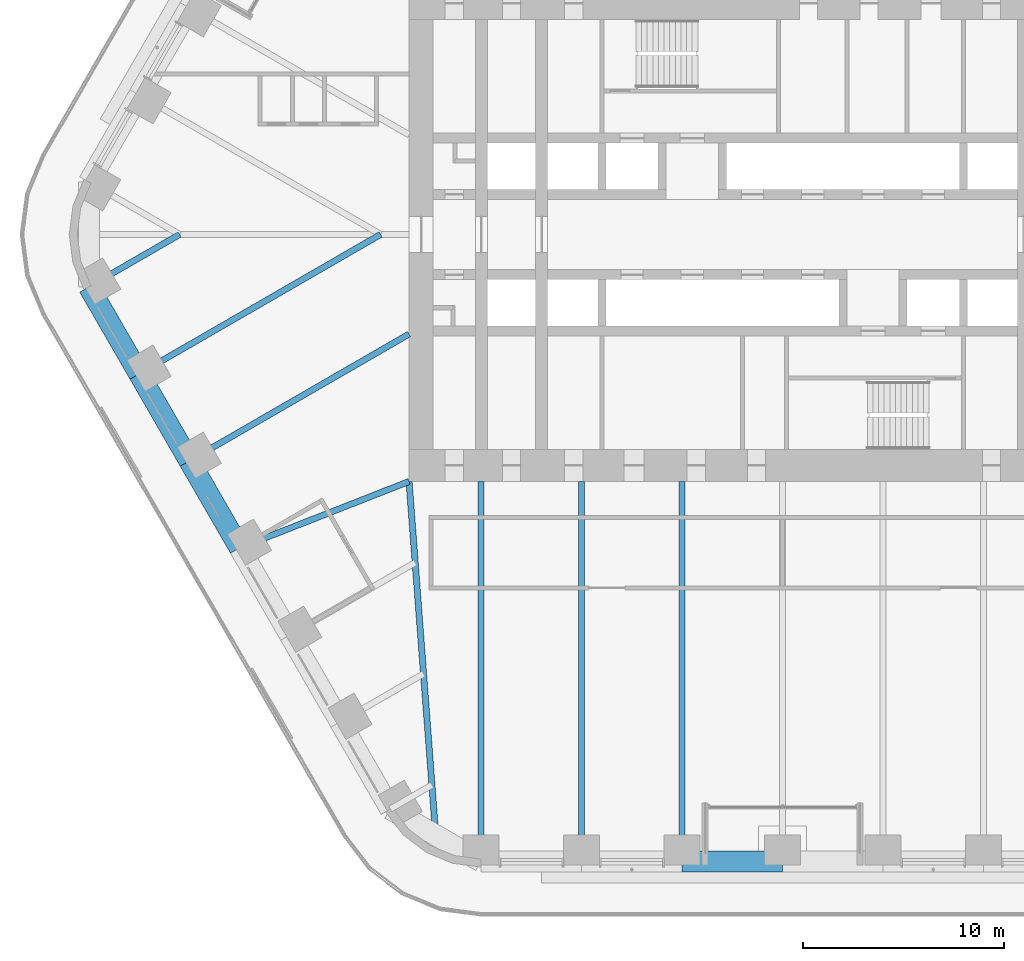
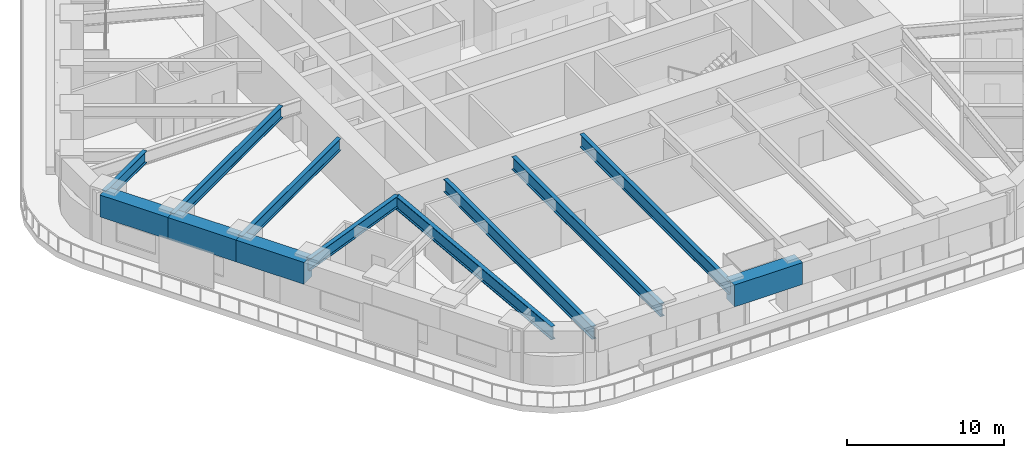
# One storey, part 3 of 24: 12 beams.
"""IFC4 building model written with IfcOpenShell, lengths in metres."""

from ifc_helpers import new_model, si_unit, direction, frame, origin, origin_2d, place, context, subcontext, project, spatial, rectangle, i_section, extrude, material, material_profile, profile_set, type_object, element, save


model = new_model("IFC4")

# Units and contexts
model_context = context("Model", 3, precision=1e-05, world=origin(), true_north=direction((0.0, 1.0)))
body_context = subcontext(model_context, "Body", "Model", "MODEL_VIEW")
ifc_project = project(units=[si_unit("LENGTHUNIT", "METRE"), si_unit("AREAUNIT", "SQUARE_METRE"), si_unit("VOLUMEUNIT", "CUBIC_METRE"), si_unit("PLANEANGLEUNIT", "RADIAN"), si_unit("MASSUNIT", "GRAM", prefix="KILO")], contexts=[model_context])

# Site, building, storey
site_placement = place(None, origin())
site = spatial("IfcSite", under=ifc_project, at=site_placement, CompositionType="ELEMENT")
building_placement = place(site_placement, origin())
building = spatial("IfcBuilding", under=site, at=building_placement, Name="Tarfa Lantern Tower", CompositionType="ELEMENT")
storey_placement = place(building_placement, frame((0.0, 0.0, 127.89990234375)))
storey = spatial("IfcBuildingStorey", under=building, at=storey_placement, Name="L28", CompositionType="ELEMENT", Elevation=127.89990234375)

# Beams
ifc_material_1 = material(Name="Concrete C80/95", Category="concrete")
ifc_material_profile_1 = material_profile(ifc_material_1, rectangle(XDim=1.050048828125, YDim=1.699951171875, at=origin_2d()), Name="RC 1050x1700")
ifc_profile_set_1 = profile_set([ifc_material_profile_1], Name="Concrete C80/95")
beam_type_1 = type_object("IfcBeamType", Name="RB2 RC 1050x1700", PredefinedType="BEAM", material=ifc_profile_set_1)
for number, where, z_axis, x_axis, name in (
    (1, (-34.54296875, -2.610107421875, 3.150146484375), (0.500022324899, -0.866012514114, 0.0), (0.866012514114, 0.500022324899, 0.0), "Edge beam SW0"),
    (2, (-32.041015625, -6.943359375, 3.150146484375), (0.500022324899, -0.866012514114, 0.0), (0.866012514114, 0.500022324899, 0.0), "Edge beam SW1"),
    (3, (-29.5390625, -11.276611328125, 3.150146484375), (0.499964603504, -0.866045838996, 0.0), (0.866045838996, 0.499964603504, 0.0), "Edge beam SW2"),
    (4, (-5.003662109375, -31.219970703125, 3.150146484375), (1.0, 0.0, 0.0), (0.0, 1.0, 0.0), "Edge beam S2"),
):
    element("IfcBeam", number, at=place(storey_placement, frame(where, z_axis=z_axis, x_axis=x_axis)), inside=storey, type_object=beam_type_1, Name=name, PredefinedType="BEAM", context=body_context, shape_type="SweptSolid", body=[
        extrude(rectangle(XDim=1.050048828125, YDim=1.699951171875, at=origin_2d()), origin(), (0.0, 0.0, 1.0), 5.003662109375),
    ])
ifc_material_2 = material(Name="Steel S460M", Category="steel")
ifc_material_profile_2 = material_profile(ifc_material_2, i_section(OverallWidth=0.302001953125, OverallDepth=1.008056640625, WebThickness=0.02099609375, FlangeThickness=0.0400390625, FilletRadius=0.030029296875, at=origin_2d()), Name="UB1016x305x349")
ifc_profile_set_2 = profile_set([ifc_material_profile_2], Name="Steel S460M")
beam_type_2 = type_object("IfcBeamType", Name="UB1016x305x349", PredefinedType="BEAM", material=ifc_profile_set_2)
for number, where, z_axis, x_axis, name in (
    (5, (-15.010986328125, -31.219970703125, 3.49609375), (0.0, 1.0, 0.0), (-1.0, 0.0, 0.0), "Floor beam S0"),
    (6, (-10.00732421875, -31.219970703125, 3.49609375), (0.0, 1.0, 0.0), (-1.0, 0.0, 0.0), "Floor beam S1"),
    (7, (-5.003662109375, -31.219970703125, 3.49609375), (0.0, 1.0, 0.0), (-1.0, 0.0, 0.0), "Floor beam S2"),
):
    element("IfcBeam", number, at=place(storey_placement, frame(where, z_axis=z_axis, x_axis=x_axis)), inside=storey, type_object=beam_type_2, Name=name, PredefinedType="BEAM", context=body_context, shape_type="SweptSolid", body=[
        extrude(i_section(OverallWidth=0.302001953125, OverallDepth=1.008056640625, WebThickness=0.02099609375, FlangeThickness=0.0400390625, FilletRadius=0.030029296875, at=origin_2d()), origin(), (0.0, 0.0, 1.0), 18.919921875),
    ])
ifc_material_profile_3 = material_profile(ifc_material_2, i_section(OverallWidth=0.30859375, OverallDepth=1.036376953125, WebThickness=0.030029296875, FlangeThickness=0.05419921875, FilletRadius=0.030029296875, at=origin_2d()), Name="UB1016x305x487")
ifc_profile_set_3 = profile_set([ifc_material_profile_3], Name="Steel S460M")
beam_type_3 = type_object("IfcBeamType", Name="UB1016x305x487", PredefinedType="BEAM", material=ifc_profile_set_3)
beam_1_placement = place(storey_placement, frame((-18.60009765625, -12.300048828125, 3.48193359375), z_axis=(0.075211516041, -0.99716760269, 0.0), x_axis=(0.99716760269, 0.075211516041, 0.0)))
element("IfcBeam", 8, at=beam_1_placement, inside=storey, type_object=beam_type_3, Name="Hip girder SW", PredefinedType="BEAM", context=body_context, shape_type="SweptSolid", body=[
    extrude(i_section(OverallWidth=0.30859375, OverallDepth=1.036376953125, WebThickness=0.030029296875, FlangeThickness=0.05419921875, FilletRadius=0.030029296875, at=origin_2d()), origin(), (0.0, 0.0, 1.0), 17.6650390625),
])
ifc_material_profile_4 = material_profile(ifc_material_2, i_section(OverallWidth=0.305419921875, OverallDepth=0.91845703125, WebThickness=0.017333984375, FlangeThickness=0.02783203125, FilletRadius=0.01904296875, at=origin_2d()), Name="UB914x305x253")
ifc_profile_set_4 = profile_set([ifc_material_profile_4], Name="Steel S460M")
beam_type_4 = type_object("IfcBeamType", Name="UB914x305x253", PredefinedType="BEAM", material=ifc_profile_set_4)
beam_2_placement = place(storey_placement, frame((-34.54296875, -2.610107421875, 3.541015625), z_axis=(0.866021250859, 0.500007193008, 0.0), x_axis=(-0.500007193008, 0.866021250859, 0.0)))
element("IfcBeam", 9, at=beam_2_placement, inside=storey, type_object=beam_type_4, Name="Floor beam SW0", PredefinedType="BEAM", context=body_context, shape_type="SweptSolid", body=[
    extrude(i_section(OverallWidth=0.305419921875, OverallDepth=0.91845703125, WebThickness=0.017333984375, FlangeThickness=0.02783203125, FilletRadius=0.01904296875, at=origin_2d()), origin(), (0.0, 0.0, 1.0), 5.22021484375),
])
beam_3_placement = place(storey_placement, frame((-32.041015625, -6.943359375, 3.541015625), z_axis=(0.866023096411, 0.500003996466, 0.0), x_axis=(-0.500003996466, 0.866023096411, 0.0)))
element("IfcBeam", 10, at=beam_3_placement, inside=storey, type_object=beam_type_4, Name="Floor beam SW1", PredefinedType="BEAM", context=body_context, shape_type="SweptSolid", body=[
    extrude(i_section(OverallWidth=0.305419921875, OverallDepth=0.91845703125, WebThickness=0.017333984375, FlangeThickness=0.02783203125, FilletRadius=0.01904296875, at=origin_2d()), origin(), (0.0, 0.0, 1.0), 13.88671875),
])
beam_4_placement = place(storey_placement, frame((-29.5390625, -11.276611328125, 3.541015625), z_axis=(0.866023362995, 0.500003534735, 0.0), x_axis=(-0.500003534735, 0.866023362995, 0.0)))
element("IfcBeam", 11, at=beam_4_placement, inside=storey, type_object=beam_type_4, Name="Floor beam SW2", PredefinedType="BEAM", context=body_context, shape_type="SweptSolid", body=[
    extrude(i_section(OverallWidth=0.305419921875, OverallDepth=0.91845703125, WebThickness=0.017333984375, FlangeThickness=0.02783203125, FilletRadius=0.01904296875, at=origin_2d()), origin(), (0.0, 0.0, 1.0), 12.63134765625),
])
beam_5_placement = place(storey_placement, frame((-27.037353515625, -15.610107421875, 3.541015625), z_axis=(0.930923282782, 0.365214788274, 0.0), x_axis=(-0.365214788274, 0.930923282782, 0.0)))
element("IfcBeam", 12, at=beam_5_placement, inside=storey, type_object=beam_type_4, Name="Floor beam SW3", PredefinedType="BEAM", context=body_context, shape_type="SweptSolid", body=[
    extrude(i_section(OverallWidth=0.305419921875, OverallDepth=0.91845703125, WebThickness=0.017333984375, FlangeThickness=0.02783203125, FilletRadius=0.01904296875, at=origin_2d()), origin(), (0.0, 0.0, 1.0), 9.063232421875),
])

save(model, "model.ifc")
